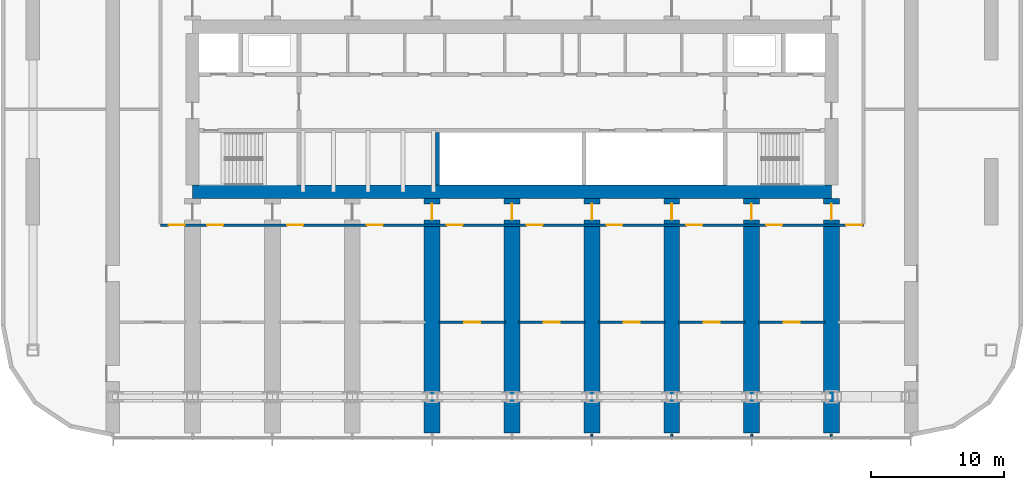
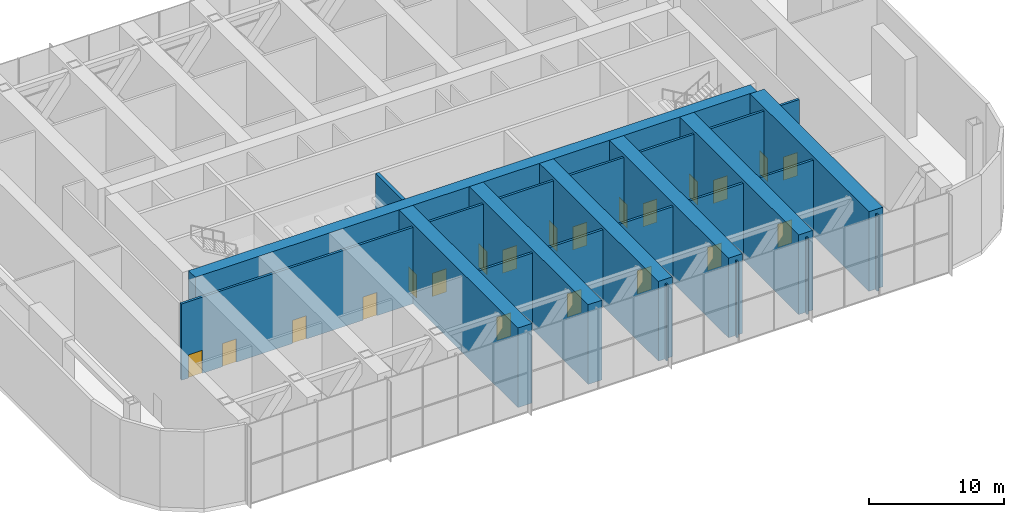
# One storey, part 11 of 24: 21 doors, 18 walls, 21 openings.
"""IFC4 building model written with IfcOpenShell, lengths in metres."""

from ifc_helpers import new_model, si_unit, direction, frame, frame_2d, origin, place, context, subcontext, project, spatial, rectangle, extrude, material, layer, layer_set, type_object, element, fill, save


model = new_model("IFC4")

# Units and contexts
model_context = context("Model", 3, precision=1e-05, world=origin(), true_north=direction((0.0, 1.0)))
body_context = subcontext(model_context, "Body", "Model", "MODEL_VIEW")
ifc_project = project(units=[si_unit("LENGTHUNIT", "METRE"), si_unit("AREAUNIT", "SQUARE_METRE"), si_unit("VOLUMEUNIT", "CUBIC_METRE"), si_unit("PLANEANGLEUNIT", "RADIAN"), si_unit("MASSUNIT", "GRAM", prefix="KILO")], contexts=[model_context])

# Site, building, storey
site_placement = place(None, origin())
site = spatial("IfcSite", under=ifc_project, at=site_placement, CompositionType="ELEMENT")
building_placement = place(site_placement, origin())
building = spatial("IfcBuilding", under=site, at=building_placement, Name="Orbita Commons", CompositionType="ELEMENT")
storey_placement = place(building_placement, frame((0.0, 0.0, 68.949951171875)))
storey = spatial("IfcBuildingStorey", under=building, at=storey_placement, Name="L17", CompositionType="ELEMENT", Elevation=68.949951171875)

# Walls
ifc_material_1 = material(Name="Concrete C50/60", Category="concrete")
ifc_layer_1 = layer(ifc_material_1, 0.300048828125)
ifc_layer_set_1 = layer_set([ifc_layer_1], Name="Concrete C50/60")
wall_type_1 = type_object("IfcWallType", Name="Core inner wall 300 C50/60", PredefinedType="SHEAR", material=ifc_layer_set_1)
wall_1_placement = place(storey_placement, frame((36.39990234375, 26.300048828125, 0.0), z_axis=(0.0, 0.0, 1.0), x_axis=(0.0, 1.0, 0.0)))
element("IfcWall", 1, at=wall_1_placement, inside=storey, type_object=wall_type_1, Name="Hoistway division wall L17", PredefinedType="SHEAR", context=body_context, shape_type="SweptSolid", body=[
    extrude(rectangle(XDim=3.949951171875, YDim=0.300048828125, at=frame_2d((1.97509765625, 0.0))), origin(), (0.0, 0.0, 1.0), 7.199951171875),
])
ifc_material_2 = material(Name="Concrete C50/60", Category="concrete")
ifc_layer_2 = layer(ifc_material_2, 1.0)
ifc_layer_set_2 = layer_set([ifc_layer_2], Name="Concrete C50/60")
wall_type_2 = type_object("IfcWallType", Name="Core wall 1000 C50/60", PredefinedType="SHEAR", material=ifc_layer_set_2)
wall_2_placement = place(storey_placement, frame((18.0, 25.800048828125, 0.0), z_axis=(0.0, 0.0, 1.0), x_axis=(1.0, 0.0, 0.0)))
element("IfcWall", 2, at=wall_2_placement, inside=storey, type_object=wall_type_2, Name="Core spine wall south L17", PredefinedType="SHEAR", context=body_context, shape_type="SweptSolid", body=[
    extrude(rectangle(XDim=48.0, YDim=1.0, at=frame_2d((24.0, 0.0))), origin(), (0.0, 0.0, 1.0), 7.199951171875),
])

# Wall, openings, doors
ifc_material_3 = material(Name="Concrete blockwork", Category="masonry")
ifc_layer_3 = layer(ifc_material_3, 0.199951171875)
ifc_layer_set_3 = layer_set([ifc_layer_3], Name="Concrete blockwork")
wall_type_3 = type_object("IfcWallType", Name="Corridor wall 200 blockwork", PredefinedType="SOLIDWALL", material=ifc_layer_set_3)
wall_3_placement = place(storey_placement, frame((68.39990234375, 23.300048828125, 0.0), z_axis=(0.0, 0.0, 1.0), x_axis=(-1.0, 0.0, 0.0)))
wall_3 = element("IfcWall", 3, at=wall_3_placement, inside=storey, type_object=wall_type_3, Name="Corridor wall 200 blockwork L17", PredefinedType="SOLIDWALL", context=body_context, shape_type="SweptSolid", body=[
    extrude(rectangle(XDim=52.7998046875, YDim=0.199951171875, at=frame_2d((26.39990234375, 0.0))), origin(), (0.0, 0.0, 1.0), 6.900146484375),
])
opening_1_placement = place(wall_3_placement, frame((51.0, 0.0, 0.0)))
opening_1 = element("IfcOpeningElement", 4, at=opening_1_placement, cuts=wall_3, Name="Opening D01", PredefinedType="OPENING", context=body_context, shape_type="SweptSolid", body=[
    extrude(rectangle(XDim=1.199951171875, YDim=2.10009765625, at=frame_2d((0.60009765625, 1.050048828125))), frame((0.0, 0.10986328125, 0.0), z_axis=(0.0, -1.0, 0.0), x_axis=(1.0, 0.0, 0.0)), (0.0, 0.0, 1.0), 0.219970703125),
])
opening_2_placement = place(wall_3_placement, frame((48.10009765625, 0.0, 0.0)))
opening_2 = element("IfcOpeningElement", 5, at=opening_2_placement, cuts=wall_3, Name="Opening D01", PredefinedType="OPENING", context=body_context, shape_type="SweptSolid", body=[
    extrude(rectangle(XDim=1.199951171875, YDim=2.10009765625, at=frame_2d((0.60009765625, 1.050048828125))), frame((0.0, 0.10986328125, 0.0), z_axis=(0.0, -1.0, 0.0), x_axis=(1.0, 0.0, 0.0)), (0.0, 0.0, 1.0), 0.219970703125),
])
opening_3_placement = place(wall_3_placement, frame((42.10009765625, 0.0, 0.0)))
opening_3 = element("IfcOpeningElement", 6, at=opening_3_placement, cuts=wall_3, Name="Opening D01", PredefinedType="OPENING", context=body_context, shape_type="SweptSolid", body=[
    extrude(rectangle(XDim=1.199951171875, YDim=2.10009765625, at=frame_2d((0.60009765625, 1.050048828125))), frame((0.0, 0.10986328125, 0.0), z_axis=(0.0, -1.0, 0.0), x_axis=(1.0, 0.0, 0.0)), (0.0, 0.0, 1.0), 0.219970703125),
])
opening_4_placement = place(wall_3_placement, frame((36.10009765625, 0.0, 0.0)))
opening_4 = element("IfcOpeningElement", 7, at=opening_4_placement, cuts=wall_3, Name="Opening D01", PredefinedType="OPENING", context=body_context, shape_type="SweptSolid", body=[
    extrude(rectangle(XDim=1.199951171875, YDim=2.10009765625, at=frame_2d((0.60009765625, 1.050048828125))), frame((0.0, 0.10986328125, 0.0), z_axis=(0.0, -1.0, 0.0), x_axis=(1.0, 0.0, 0.0)), (0.0, 0.0, 1.0), 0.219970703125),
])
opening_5_placement = place(wall_3_placement, frame((30.10009765625, 0.0, 0.0)))
opening_5 = element("IfcOpeningElement", 8, at=opening_5_placement, cuts=wall_3, Name="Opening D01", PredefinedType="OPENING", context=body_context, shape_type="SweptSolid", body=[
    extrude(rectangle(XDim=1.199951171875, YDim=2.10009765625, at=frame_2d((0.60009765625, 1.050048828125))), frame((0.0, 0.10986328125, 0.0), z_axis=(0.0, -1.0, 0.0), x_axis=(1.0, 0.0, 0.0)), (0.0, 0.0, 1.0), 0.219970703125),
])
opening_6_placement = place(wall_3_placement, frame((24.10009765625, 0.0, 0.0)))
opening_6 = element("IfcOpeningElement", 9, at=opening_6_placement, cuts=wall_3, Name="Opening D01", PredefinedType="OPENING", context=body_context, shape_type="SweptSolid", body=[
    extrude(rectangle(XDim=1.199951171875, YDim=2.10009765625, at=frame_2d((0.60009765625, 1.050048828125))), frame((0.0, 0.10986328125, 0.0), z_axis=(0.0, -1.0, 0.0), x_axis=(1.0, 0.0, 0.0)), (0.0, 0.0, 1.0), 0.219970703125),
])
opening_7_placement = place(wall_3_placement, frame((18.10009765625, 0.0, 0.0)))
opening_7 = element("IfcOpeningElement", 10, at=opening_7_placement, cuts=wall_3, Name="Opening D01", PredefinedType="OPENING", context=body_context, shape_type="SweptSolid", body=[
    extrude(rectangle(XDim=1.199951171875, YDim=2.10009765625, at=frame_2d((0.60009765625, 1.050048828125))), frame((0.0, 0.10986328125, 0.0), z_axis=(0.0, -1.0, 0.0), x_axis=(1.0, 0.0, 0.0)), (0.0, 0.0, 1.0), 0.219970703125),
])
opening_8_placement = place(wall_3_placement, frame((12.10009765625, 0.0, 0.0)))
opening_8 = element("IfcOpeningElement", 11, at=opening_8_placement, cuts=wall_3, Name="Opening D01", PredefinedType="OPENING", context=body_context, shape_type="SweptSolid", body=[
    extrude(rectangle(XDim=1.199951171875, YDim=2.10009765625, at=frame_2d((0.60009765625, 1.050048828125))), frame((0.0, 0.10986328125, 0.0), z_axis=(0.0, -1.0, 0.0), x_axis=(1.0, 0.0, 0.0)), (0.0, 0.0, 1.0), 0.219970703125),
])
opening_9_placement = place(wall_3_placement, frame((6.10009765625, 0.0, 0.0)))
opening_9 = element("IfcOpeningElement", 12, at=opening_9_placement, cuts=wall_3, Name="Opening D01", PredefinedType="OPENING", context=body_context, shape_type="SweptSolid", body=[
    extrude(rectangle(XDim=1.199951171875, YDim=2.10009765625, at=frame_2d((0.60009765625, 1.050048828125))), frame((0.0, 0.10986328125, 0.0), z_axis=(0.0, -1.0, 0.0), x_axis=(1.0, 0.0, 0.0)), (0.0, 0.0, 1.0), 0.219970703125),
])
opening_10_placement = place(wall_3_placement, frame((0.10009765625, 0.0, 0.0)))
opening_10 = element("IfcOpeningElement", 13, at=opening_10_placement, cuts=wall_3, Name="Opening D01", PredefinedType="OPENING", context=body_context, shape_type="SweptSolid", body=[
    extrude(rectangle(XDim=1.199951171875, YDim=2.10009765625, at=frame_2d((0.60009765625, 1.050048828125))), frame((0.0, 0.10986328125, 0.0), z_axis=(0.0, -1.0, 0.0), x_axis=(1.0, 0.0, 0.0)), (0.0, 0.0, 1.0), 0.219970703125),
])
ifc_material_4 = material(Name="Steel-faced fire door leaf", Category="steel")
door_type = type_object("IfcDoorType", Name="Fire door 90 min 1200x2100", OperationType="SINGLE_SWING_LEFT", PredefinedType="DOOR", material=ifc_material_4)
door_1_placement = place(opening_1_placement, origin())
door_1 = element("IfcDoor", 14, at=door_1_placement, inside=storey, type_object=door_type, Name="Refuge lobby L17-PS1 door", OperationType="SINGLE_SWING_LEFT", OverallHeight=2.10009765625, OverallWidth=1.199951171875, PredefinedType="DOOR", context=body_context, shape_type="SweptSolid", body=[
    extrude(rectangle(XDim=1.199951171875, YDim=2.10009765625, at=frame_2d((0.60009765625, 1.050048828125))), frame((0.0, 0.02490234375, 0.0), z_axis=(0.0, -1.0, 0.0), x_axis=(1.0, 0.0, 0.0)), (0.0, 0.0, 1.0), 0.050048828125),
])
fill(opening_1, door_1)
door_2_placement = place(opening_2_placement, origin())
door_2 = element("IfcDoor", 15, at=door_2_placement, inside=storey, type_object=door_type, Name="Refuge lobby L17-PS2 door", OperationType="SINGLE_SWING_LEFT", OverallHeight=2.10009765625, OverallWidth=1.199951171875, PredefinedType="DOOR", context=body_context, shape_type="SweptSolid", body=[
    extrude(rectangle(XDim=1.199951171875, YDim=2.10009765625, at=frame_2d((0.60009765625, 1.050048828125))), frame((0.0, 0.02490234375, 0.0), z_axis=(0.0, -1.0, 0.0), x_axis=(1.0, 0.0, 0.0)), (0.0, 0.0, 1.0), 0.050048828125),
])
fill(opening_2, door_2)
door_3_placement = place(opening_3_placement, origin())
door_3 = element("IfcDoor", 16, at=door_3_placement, inside=storey, type_object=door_type, Name="Refuge lobby L17-PS3 door", OperationType="SINGLE_SWING_LEFT", OverallHeight=2.10009765625, OverallWidth=1.199951171875, PredefinedType="DOOR", context=body_context, shape_type="SweptSolid", body=[
    extrude(rectangle(XDim=1.199951171875, YDim=2.10009765625, at=frame_2d((0.60009765625, 1.050048828125))), frame((0.0, 0.02490234375, 0.0), z_axis=(0.0, -1.0, 0.0), x_axis=(1.0, 0.0, 0.0)), (0.0, 0.0, 1.0), 0.050048828125),
])
fill(opening_3, door_3)
door_4_placement = place(opening_4_placement, origin())
door_4 = element("IfcDoor", 17, at=door_4_placement, inside=storey, type_object=door_type, Name="Refuge lobby L17-PS4 door", OperationType="SINGLE_SWING_LEFT", OverallHeight=2.10009765625, OverallWidth=1.199951171875, PredefinedType="DOOR", context=body_context, shape_type="SweptSolid", body=[
    extrude(rectangle(XDim=1.199951171875, YDim=2.10009765625, at=frame_2d((0.60009765625, 1.050048828125))), frame((0.0, 0.02490234375, 0.0), z_axis=(0.0, -1.0, 0.0), x_axis=(1.0, 0.0, 0.0)), (0.0, 0.0, 1.0), 0.050048828125),
])
fill(opening_4, door_4)
door_5_placement = place(opening_5_placement, origin())
door_5 = element("IfcDoor", 18, at=door_5_placement, inside=storey, type_object=door_type, Name="Refuge lobby L17-PS5 door", OperationType="SINGLE_SWING_LEFT", OverallHeight=2.10009765625, OverallWidth=1.199951171875, PredefinedType="DOOR", context=body_context, shape_type="SweptSolid", body=[
    extrude(rectangle(XDim=1.199951171875, YDim=2.10009765625, at=frame_2d((0.60009765625, 1.050048828125))), frame((0.0, 0.02490234375, 0.0), z_axis=(0.0, -1.0, 0.0), x_axis=(1.0, 0.0, 0.0)), (0.0, 0.0, 1.0), 0.050048828125),
])
fill(opening_5, door_5)
door_6_placement = place(opening_6_placement, origin())
door_6 = element("IfcDoor", 19, at=door_6_placement, inside=storey, type_object=door_type, Name="Refuge lobby L17-PS6 door", OperationType="SINGLE_SWING_LEFT", OverallHeight=2.10009765625, OverallWidth=1.199951171875, PredefinedType="DOOR", context=body_context, shape_type="SweptSolid", body=[
    extrude(rectangle(XDim=1.199951171875, YDim=2.10009765625, at=frame_2d((0.60009765625, 1.050048828125))), frame((0.0, 0.02490234375, 0.0), z_axis=(0.0, -1.0, 0.0), x_axis=(1.0, 0.0, 0.0)), (0.0, 0.0, 1.0), 0.050048828125),
])
fill(opening_6, door_6)
door_7_placement = place(opening_7_placement, origin())
door_7 = element("IfcDoor", 20, at=door_7_placement, inside=storey, type_object=door_type, Name="Refuge lobby L17-PS7 door", OperationType="SINGLE_SWING_LEFT", OverallHeight=2.10009765625, OverallWidth=1.199951171875, PredefinedType="DOOR", context=body_context, shape_type="SweptSolid", body=[
    extrude(rectangle(XDim=1.199951171875, YDim=2.10009765625, at=frame_2d((0.60009765625, 1.050048828125))), frame((0.0, 0.02490234375, 0.0), z_axis=(0.0, -1.0, 0.0), x_axis=(1.0, 0.0, 0.0)), (0.0, 0.0, 1.0), 0.050048828125),
])
fill(opening_7, door_7)
door_8_placement = place(opening_8_placement, origin())
door_8 = element("IfcDoor", 21, at=door_8_placement, inside=storey, type_object=door_type, Name="Refuge lobby L17-PS8 door", OperationType="SINGLE_SWING_LEFT", OverallHeight=2.10009765625, OverallWidth=1.199951171875, PredefinedType="DOOR", context=body_context, shape_type="SweptSolid", body=[
    extrude(rectangle(XDim=1.199951171875, YDim=2.10009765625, at=frame_2d((0.60009765625, 1.050048828125))), frame((0.0, 0.02490234375, 0.0), z_axis=(0.0, -1.0, 0.0), x_axis=(1.0, 0.0, 0.0)), (0.0, 0.0, 1.0), 0.050048828125),
])
fill(opening_8, door_8)
door_9_placement = place(opening_9_placement, origin())
door_9 = element("IfcDoor", 22, at=door_9_placement, inside=storey, type_object=door_type, Name="Refuge lobby L17-PS9 door", OperationType="SINGLE_SWING_LEFT", OverallHeight=2.10009765625, OverallWidth=1.199951171875, PredefinedType="DOOR", context=body_context, shape_type="SweptSolid", body=[
    extrude(rectangle(XDim=1.199951171875, YDim=2.10009765625, at=frame_2d((0.60009765625, 1.050048828125))), frame((0.0, 0.02490234375, 0.0), z_axis=(0.0, -1.0, 0.0), x_axis=(1.0, 0.0, 0.0)), (0.0, 0.0, 1.0), 0.050048828125),
])
fill(opening_9, door_9)
door_10_placement = place(opening_10_placement, origin())
door_10 = element("IfcDoor", 23, at=door_10_placement, inside=storey, type_object=door_type, Name="Refuge lobby L17-PS10 door", OperationType="SINGLE_SWING_LEFT", OverallHeight=2.10009765625, OverallWidth=1.199951171875, PredefinedType="DOOR", context=body_context, shape_type="SweptSolid", body=[
    extrude(rectangle(XDim=1.199951171875, YDim=2.10009765625, at=frame_2d((0.60009765625, 1.050048828125))), frame((0.0, 0.02490234375, 0.0), z_axis=(0.0, -1.0, 0.0), x_axis=(1.0, 0.0, 0.0)), (0.0, 0.0, 1.0), 0.050048828125),
])
fill(opening_10, door_10)

# Wall, opening, door
ifc_material_5 = material(Name="Hollow concrete block 200", Category="concrete")
ifc_layer_4 = layer(ifc_material_5, 0.199951171875)
ifc_layer_set_4 = layer_set([ifc_layer_4], Name="Hollow concrete block 200")
wall_type_4 = type_object("IfcWallType", Name="Corridor wall 200 hollow concrete block", PredefinedType="SOLIDWALL", material=ifc_layer_set_4)
wall_4_placement = place(storey_placement, frame((36.5, 16.0, 0.0), z_axis=(0.0, 0.0, 1.0), x_axis=(1.0, 0.0, 0.0)))
wall_4 = element("IfcWall", 24, at=wall_4_placement, inside=storey, type_object=wall_type_4, Name="Corridor wall 200 hollow concrete block L17", PredefinedType="SOLIDWALL", context=body_context, shape_type="SweptSolid", body=[
    extrude(rectangle(XDim=5.0, YDim=0.199951171875, at=frame_2d((2.5, 0.0))), origin(), (0.0, 0.0, 1.0), 6.900146484375),
])
opening_11_placement = place(wall_4_placement, frame((1.89990234375, 0.0, 0.0)))
opening_11 = element("IfcOpeningElement", 25, at=opening_11_placement, cuts=wall_4, Name="Opening D01", PredefinedType="OPENING", context=body_context, shape_type="SweptSolid", body=[
    extrude(rectangle(XDim=1.199951171875, YDim=2.10009765625, at=frame_2d((0.60009765625, 1.050048828125))), frame((0.0, 0.10986328125, 0.0), z_axis=(0.0, -1.0, 0.0), x_axis=(1.0, 0.0, 0.0)), (0.0, 0.0, 1.0), 0.219970703125),
])
door_11_placement = place(opening_11_placement, origin())
door_11 = element("IfcDoor", 26, at=door_11_placement, inside=storey, type_object=door_type, Name="Refuge area door L17", OperationType="SINGLE_SWING_LEFT", OverallHeight=2.10009765625, OverallWidth=1.199951171875, PredefinedType="DOOR", context=body_context, shape_type="SweptSolid", body=[
    extrude(rectangle(XDim=1.199951171875, YDim=2.10009765625, at=frame_2d((0.60009765625, 1.050048828125))), frame((0.0, 0.02490234375, 0.0), z_axis=(0.0, -1.0, 0.0), x_axis=(1.0, 0.0, 0.0)), (0.0, 0.0, 1.0), 0.050048828125),
])
fill(opening_11, door_11)

wall_5_placement = place(storey_placement, frame((42.5, 16.0, 0.0), z_axis=(0.0, 0.0, 1.0), x_axis=(1.0, 0.0, 0.0)))
wall_5 = element("IfcWall", 27, at=wall_5_placement, inside=storey, type_object=wall_type_4, Name="Corridor wall 200 hollow concrete block L17", PredefinedType="SOLIDWALL", context=body_context, shape_type="SweptSolid", body=[
    extrude(rectangle(XDim=5.0, YDim=0.199951171875, at=frame_2d((2.5, 0.0))), origin(), (0.0, 0.0, 1.0), 6.900146484375),
])
opening_12_placement = place(wall_5_placement, frame((1.89990234375, 0.0, 0.0)))
opening_12 = element("IfcOpeningElement", 28, at=opening_12_placement, cuts=wall_5, Name="Opening D01", PredefinedType="OPENING", context=body_context, shape_type="SweptSolid", body=[
    extrude(rectangle(XDim=1.199951171875, YDim=2.10009765625, at=frame_2d((0.60009765625, 1.050048828125))), frame((0.0, 0.10986328125, 0.0), z_axis=(0.0, -1.0, 0.0), x_axis=(1.0, 0.0, 0.0)), (0.0, 0.0, 1.0), 0.219970703125),
])
door_12_placement = place(opening_12_placement, origin())
door_12 = element("IfcDoor", 29, at=door_12_placement, inside=storey, type_object=door_type, Name="Refuge area door L17", OperationType="SINGLE_SWING_LEFT", OverallHeight=2.10009765625, OverallWidth=1.199951171875, PredefinedType="DOOR", context=body_context, shape_type="SweptSolid", body=[
    extrude(rectangle(XDim=1.199951171875, YDim=2.10009765625, at=frame_2d((0.60009765625, 1.050048828125))), frame((0.0, 0.02490234375, 0.0), z_axis=(0.0, -1.0, 0.0), x_axis=(1.0, 0.0, 0.0)), (0.0, 0.0, 1.0), 0.050048828125),
])
fill(opening_12, door_12)

wall_6_placement = place(storey_placement, frame((48.5, 16.0, 0.0), z_axis=(0.0, 0.0, 1.0), x_axis=(1.0, 0.0, 0.0)))
wall_6 = element("IfcWall", 30, at=wall_6_placement, inside=storey, type_object=wall_type_4, Name="Corridor wall 200 hollow concrete block L17", PredefinedType="SOLIDWALL", context=body_context, shape_type="SweptSolid", body=[
    extrude(rectangle(XDim=5.0, YDim=0.199951171875, at=frame_2d((2.5, 0.0))), origin(), (0.0, 0.0, 1.0), 6.900146484375),
])
opening_13_placement = place(wall_6_placement, frame((1.89990234375, 0.0, 0.0)))
opening_13 = element("IfcOpeningElement", 31, at=opening_13_placement, cuts=wall_6, Name="Opening D01", PredefinedType="OPENING", context=body_context, shape_type="SweptSolid", body=[
    extrude(rectangle(XDim=1.199951171875, YDim=2.10009765625, at=frame_2d((0.60009765625, 1.050048828125))), frame((0.0, 0.10986328125, 0.0), z_axis=(0.0, -1.0, 0.0), x_axis=(1.0, 0.0, 0.0)), (0.0, 0.0, 1.0), 0.219970703125),
])
door_13_placement = place(opening_13_placement, origin())
door_13 = element("IfcDoor", 32, at=door_13_placement, inside=storey, type_object=door_type, Name="Refuge area door L17", OperationType="SINGLE_SWING_LEFT", OverallHeight=2.10009765625, OverallWidth=1.199951171875, PredefinedType="DOOR", context=body_context, shape_type="SweptSolid", body=[
    extrude(rectangle(XDim=1.199951171875, YDim=2.10009765625, at=frame_2d((0.60009765625, 1.050048828125))), frame((0.0, 0.02490234375, 0.0), z_axis=(0.0, -1.0, 0.0), x_axis=(1.0, 0.0, 0.0)), (0.0, 0.0, 1.0), 0.050048828125),
])
fill(opening_13, door_13)

wall_7_placement = place(storey_placement, frame((54.5, 16.0, 0.0), z_axis=(0.0, 0.0, 1.0), x_axis=(1.0, 0.0, 0.0)))
wall_7 = element("IfcWall", 33, at=wall_7_placement, inside=storey, type_object=wall_type_4, Name="Corridor wall 200 hollow concrete block L17", PredefinedType="SOLIDWALL", context=body_context, shape_type="SweptSolid", body=[
    extrude(rectangle(XDim=5.0, YDim=0.199951171875, at=frame_2d((2.5, 0.0))), origin(), (0.0, 0.0, 1.0), 6.900146484375),
])
opening_14_placement = place(wall_7_placement, frame((1.89990234375, 0.0, 0.0)))
opening_14 = element("IfcOpeningElement", 34, at=opening_14_placement, cuts=wall_7, Name="Opening D01", PredefinedType="OPENING", context=body_context, shape_type="SweptSolid", body=[
    extrude(rectangle(XDim=1.199951171875, YDim=2.10009765625, at=frame_2d((0.60009765625, 1.050048828125))), frame((0.0, 0.10986328125, 0.0), z_axis=(0.0, -1.0, 0.0), x_axis=(1.0, 0.0, 0.0)), (0.0, 0.0, 1.0), 0.219970703125),
])
door_14_placement = place(opening_14_placement, origin())
door_14 = element("IfcDoor", 35, at=door_14_placement, inside=storey, type_object=door_type, Name="Refuge area door L17", OperationType="SINGLE_SWING_LEFT", OverallHeight=2.10009765625, OverallWidth=1.199951171875, PredefinedType="DOOR", context=body_context, shape_type="SweptSolid", body=[
    extrude(rectangle(XDim=1.199951171875, YDim=2.10009765625, at=frame_2d((0.60009765625, 1.050048828125))), frame((0.0, 0.02490234375, 0.0), z_axis=(0.0, -1.0, 0.0), x_axis=(1.0, 0.0, 0.0)), (0.0, 0.0, 1.0), 0.050048828125),
])
fill(opening_14, door_14)

wall_8_placement = place(storey_placement, frame((60.5, 16.0, 0.0), z_axis=(0.0, 0.0, 1.0), x_axis=(1.0, 0.0, 0.0)))
wall_8 = element("IfcWall", 36, at=wall_8_placement, inside=storey, type_object=wall_type_4, Name="Corridor wall 200 hollow concrete block L17", PredefinedType="SOLIDWALL", context=body_context, shape_type="SweptSolid", body=[
    extrude(rectangle(XDim=5.0, YDim=0.199951171875, at=frame_2d((2.5, 0.0))), origin(), (0.0, 0.0, 1.0), 6.900146484375),
])
opening_15_placement = place(wall_8_placement, frame((1.89990234375, 0.0, 0.0)))
opening_15 = element("IfcOpeningElement", 37, at=opening_15_placement, cuts=wall_8, Name="Opening D01", PredefinedType="OPENING", context=body_context, shape_type="SweptSolid", body=[
    extrude(rectangle(XDim=1.199951171875, YDim=2.10009765625, at=frame_2d((0.60009765625, 1.050048828125))), frame((0.0, 0.10986328125, 0.0), z_axis=(0.0, -1.0, 0.0), x_axis=(1.0, 0.0, 0.0)), (0.0, 0.0, 1.0), 0.219970703125),
])
door_15_placement = place(opening_15_placement, origin())
door_15 = element("IfcDoor", 38, at=door_15_placement, inside=storey, type_object=door_type, Name="Refuge area door L17", OperationType="SINGLE_SWING_LEFT", OverallHeight=2.10009765625, OverallWidth=1.199951171875, PredefinedType="DOOR", context=body_context, shape_type="SweptSolid", body=[
    extrude(rectangle(XDim=1.199951171875, YDim=2.10009765625, at=frame_2d((0.60009765625, 1.050048828125))), frame((0.0, 0.02490234375, 0.0), z_axis=(0.0, -1.0, 0.0), x_axis=(1.0, 0.0, 0.0)), (0.0, 0.0, 1.0), 0.050048828125),
])
fill(opening_15, door_15)

ifc_material_6 = material(Name="Concrete C50/60", Category="concrete")
ifc_layer_5 = layer(ifc_material_6, 1.199951171875)
ifc_layer_set_5 = layer_set([ifc_layer_5], Name="Concrete C50/60")
wall_type_5 = type_object("IfcWallType", Name="Outrigger wall 1200 C50/60", PredefinedType="SHEAR", material=ifc_layer_set_5)
wall_9_placement = place(storey_placement, frame((36.0, 7.699951171875, 0.0), z_axis=(0.0, 0.0, 1.0), x_axis=(0.0, 1.0, 0.0)))
wall_9 = element("IfcWall", 39, at=wall_9_placement, inside=storey, type_object=wall_type_5, Name="Outrigger wall 7 south L17", PredefinedType="SHEAR", context=body_context, shape_type="SweptSolid", body=[
    extrude(rectangle(XDim=17.60009765625, YDim=1.199951171875, at=frame_2d((8.800048828125, 0.0))), origin(), (0.0, 0.0, 1.0), 7.199951171875),
])
opening_16_placement = place(wall_9_placement, frame((16.0, 0.0, 0.0)))
opening_16 = element("IfcOpeningElement", 40, at=opening_16_placement, cuts=wall_9, Name="Opening D01", PredefinedType="OPENING", context=body_context, shape_type="SweptSolid", body=[
    extrude(rectangle(XDim=1.199951171875, YDim=2.10009765625, at=frame_2d((0.60009765625, 1.050048828125))), frame((0.0, 0.60986328125, 0.0), z_axis=(0.0, -1.0, 0.0), x_axis=(1.0, 0.0, 0.0)), (0.0, 0.0, 1.0), 1.219970703125),
])
door_16_placement = place(opening_16_placement, origin())
door_16 = element("IfcDoor", 41, at=door_16_placement, inside=storey, type_object=door_type, Name="Corridor door through cross wall S L17", OperationType="SINGLE_SWING_LEFT", OverallHeight=2.10009765625, OverallWidth=1.199951171875, PredefinedType="DOOR", context=body_context, shape_type="SweptSolid", body=[
    extrude(rectangle(XDim=1.199951171875, YDim=2.10009765625, at=frame_2d((0.60009765625, 1.050048828125))), frame((0.0, 0.02490234375, 0.0), z_axis=(0.0, -1.0, 0.0), x_axis=(1.0, 0.0, 0.0)), (0.0, 0.0, 1.0), 0.050048828125),
])
fill(opening_16, door_16)

wall_10_placement = place(storey_placement, frame((42.0, 7.699951171875, 0.0), z_axis=(0.0, 0.0, 1.0), x_axis=(0.0, 1.0, 0.0)))
wall_10 = element("IfcWall", 42, at=wall_10_placement, inside=storey, type_object=wall_type_5, Name="Outrigger wall 8 south L17", PredefinedType="SHEAR", context=body_context, shape_type="SweptSolid", body=[
    extrude(rectangle(XDim=17.60009765625, YDim=1.199951171875, at=frame_2d((8.800048828125, 0.0))), origin(), (0.0, 0.0, 1.0), 7.199951171875),
])
opening_17_placement = place(wall_10_placement, frame((16.0, 0.0, 0.0)))
opening_17 = element("IfcOpeningElement", 43, at=opening_17_placement, cuts=wall_10, Name="Opening D01", PredefinedType="OPENING", context=body_context, shape_type="SweptSolid", body=[
    extrude(rectangle(XDim=1.199951171875, YDim=2.10009765625, at=frame_2d((0.60009765625, 1.050048828125))), frame((0.0, 0.60986328125, 0.0), z_axis=(0.0, -1.0, 0.0), x_axis=(1.0, 0.0, 0.0)), (0.0, 0.0, 1.0), 1.219970703125),
])
door_17_placement = place(opening_17_placement, origin())
door_17 = element("IfcDoor", 44, at=door_17_placement, inside=storey, type_object=door_type, Name="Corridor door through cross wall S L17", OperationType="SINGLE_SWING_LEFT", OverallHeight=2.10009765625, OverallWidth=1.199951171875, PredefinedType="DOOR", context=body_context, shape_type="SweptSolid", body=[
    extrude(rectangle(XDim=1.199951171875, YDim=2.10009765625, at=frame_2d((0.60009765625, 1.050048828125))), frame((0.0, 0.02490234375, 0.0), z_axis=(0.0, -1.0, 0.0), x_axis=(1.0, 0.0, 0.0)), (0.0, 0.0, 1.0), 0.050048828125),
])
fill(opening_17, door_17)

wall_11_placement = place(storey_placement, frame((48.0, 7.699951171875, 0.0), z_axis=(0.0, 0.0, 1.0), x_axis=(0.0, 1.0, 0.0)))
wall_11 = element("IfcWall", 45, at=wall_11_placement, inside=storey, type_object=wall_type_5, Name="Outrigger wall 9 south L17", PredefinedType="SHEAR", context=body_context, shape_type="SweptSolid", body=[
    extrude(rectangle(XDim=17.60009765625, YDim=1.199951171875, at=frame_2d((8.800048828125, 0.0))), origin(), (0.0, 0.0, 1.0), 7.199951171875),
])
opening_18_placement = place(wall_11_placement, frame((16.0, 0.0, 0.0)))
opening_18 = element("IfcOpeningElement", 46, at=opening_18_placement, cuts=wall_11, Name="Opening D01", PredefinedType="OPENING", context=body_context, shape_type="SweptSolid", body=[
    extrude(rectangle(XDim=1.199951171875, YDim=2.10009765625, at=frame_2d((0.60009765625, 1.050048828125))), frame((0.0, 0.60986328125, 0.0), z_axis=(0.0, -1.0, 0.0), x_axis=(1.0, 0.0, 0.0)), (0.0, 0.0, 1.0), 1.219970703125),
])
door_18_placement = place(opening_18_placement, origin())
door_18 = element("IfcDoor", 47, at=door_18_placement, inside=storey, type_object=door_type, Name="Corridor door through cross wall S L17", OperationType="SINGLE_SWING_LEFT", OverallHeight=2.10009765625, OverallWidth=1.199951171875, PredefinedType="DOOR", context=body_context, shape_type="SweptSolid", body=[
    extrude(rectangle(XDim=1.199951171875, YDim=2.10009765625, at=frame_2d((0.60009765625, 1.050048828125))), frame((0.0, 0.02490234375, 0.0), z_axis=(0.0, -1.0, 0.0), x_axis=(1.0, 0.0, 0.0)), (0.0, 0.0, 1.0), 0.050048828125),
])
fill(opening_18, door_18)

wall_12_placement = place(storey_placement, frame((54.0, 7.699951171875, 0.0), z_axis=(0.0, 0.0, 1.0), x_axis=(0.0, 1.0, 0.0)))
wall_12 = element("IfcWall", 48, at=wall_12_placement, inside=storey, type_object=wall_type_5, Name="Outrigger wall 10 south L17", PredefinedType="SHEAR", context=body_context, shape_type="SweptSolid", body=[
    extrude(rectangle(XDim=17.60009765625, YDim=1.199951171875, at=frame_2d((8.800048828125, 0.0))), origin(), (0.0, 0.0, 1.0), 7.199951171875),
])
opening_19_placement = place(wall_12_placement, frame((16.0, 0.0, 0.0)))
opening_19 = element("IfcOpeningElement", 49, at=opening_19_placement, cuts=wall_12, Name="Opening D01", PredefinedType="OPENING", context=body_context, shape_type="SweptSolid", body=[
    extrude(rectangle(XDim=1.199951171875, YDim=2.10009765625, at=frame_2d((0.60009765625, 1.050048828125))), frame((0.0, 0.60986328125, 0.0), z_axis=(0.0, -1.0, 0.0), x_axis=(1.0, 0.0, 0.0)), (0.0, 0.0, 1.0), 1.219970703125),
])
door_19_placement = place(opening_19_placement, origin())
door_19 = element("IfcDoor", 50, at=door_19_placement, inside=storey, type_object=door_type, Name="Corridor door through cross wall S L17", OperationType="SINGLE_SWING_LEFT", OverallHeight=2.10009765625, OverallWidth=1.199951171875, PredefinedType="DOOR", context=body_context, shape_type="SweptSolid", body=[
    extrude(rectangle(XDim=1.199951171875, YDim=2.10009765625, at=frame_2d((0.60009765625, 1.050048828125))), frame((0.0, 0.02490234375, 0.0), z_axis=(0.0, -1.0, 0.0), x_axis=(1.0, 0.0, 0.0)), (0.0, 0.0, 1.0), 0.050048828125),
])
fill(opening_19, door_19)

wall_13_placement = place(storey_placement, frame((60.0, 7.699951171875, 0.0), z_axis=(0.0, 0.0, 1.0), x_axis=(0.0, 1.0, 0.0)))
wall_13 = element("IfcWall", 51, at=wall_13_placement, inside=storey, type_object=wall_type_5, Name="Outrigger wall 11 south L17", PredefinedType="SHEAR", context=body_context, shape_type="SweptSolid", body=[
    extrude(rectangle(XDim=17.60009765625, YDim=1.199951171875, at=frame_2d((8.800048828125, 0.0))), origin(), (0.0, 0.0, 1.0), 7.199951171875),
])
opening_20_placement = place(wall_13_placement, frame((16.0, 0.0, 0.0)))
opening_20 = element("IfcOpeningElement", 52, at=opening_20_placement, cuts=wall_13, Name="Opening D01", PredefinedType="OPENING", context=body_context, shape_type="SweptSolid", body=[
    extrude(rectangle(XDim=1.199951171875, YDim=2.10009765625, at=frame_2d((0.60009765625, 1.050048828125))), frame((0.0, 0.60986328125, 0.0), z_axis=(0.0, -1.0, 0.0), x_axis=(1.0, 0.0, 0.0)), (0.0, 0.0, 1.0), 1.219970703125),
])
door_20_placement = place(opening_20_placement, origin())
door_20 = element("IfcDoor", 53, at=door_20_placement, inside=storey, type_object=door_type, Name="Corridor door through cross wall S L17", OperationType="SINGLE_SWING_LEFT", OverallHeight=2.10009765625, OverallWidth=1.199951171875, PredefinedType="DOOR", context=body_context, shape_type="SweptSolid", body=[
    extrude(rectangle(XDim=1.199951171875, YDim=2.10009765625, at=frame_2d((0.60009765625, 1.050048828125))), frame((0.0, 0.02490234375, 0.0), z_axis=(0.0, -1.0, 0.0), x_axis=(1.0, 0.0, 0.0)), (0.0, 0.0, 1.0), 0.050048828125),
])
fill(opening_20, door_20)

wall_14_placement = place(storey_placement, frame((66.0, 7.699951171875, 0.0), z_axis=(0.0, 0.0, 1.0), x_axis=(0.0, 1.0, 0.0)))
wall_14 = element("IfcWall", 54, at=wall_14_placement, inside=storey, type_object=wall_type_5, Name="Outrigger wall 12 south L17", PredefinedType="SHEAR", context=body_context, shape_type="SweptSolid", body=[
    extrude(rectangle(XDim=17.60009765625, YDim=1.199951171875, at=frame_2d((8.800048828125, 0.0))), origin(), (0.0, 0.0, 1.0), 7.199951171875),
])
opening_21_placement = place(wall_14_placement, frame((16.0, 0.0, 0.0)))
opening_21 = element("IfcOpeningElement", 55, at=opening_21_placement, cuts=wall_14, Name="Opening D01", PredefinedType="OPENING", context=body_context, shape_type="SweptSolid", body=[
    extrude(rectangle(XDim=1.199951171875, YDim=2.10009765625, at=frame_2d((0.60009765625, 1.050048828125))), frame((0.0, 0.60986328125, 0.0), z_axis=(0.0, -1.0, 0.0), x_axis=(1.0, 0.0, 0.0)), (0.0, 0.0, 1.0), 1.219970703125),
])
door_21_placement = place(opening_21_placement, origin())
door_21 = element("IfcDoor", 56, at=door_21_placement, inside=storey, type_object=door_type, Name="Corridor door through cross wall S L17", OperationType="SINGLE_SWING_LEFT", OverallHeight=2.10009765625, OverallWidth=1.199951171875, PredefinedType="DOOR", context=body_context, shape_type="SweptSolid", body=[
    extrude(rectangle(XDim=1.199951171875, YDim=2.10009765625, at=frame_2d((0.60009765625, 1.050048828125))), frame((0.0, 0.02490234375, 0.0), z_axis=(0.0, -1.0, 0.0), x_axis=(1.0, 0.0, 0.0)), (0.0, 0.0, 1.0), 0.050048828125),
])
fill(opening_21, door_21)

# Walls
ifc_material_7 = material(Name="Gypsum plasterboard on steel studs", Category="steel")
ifc_layer_6 = layer(ifc_material_7, 0.14990234375)
ifc_layer_set_6 = layer_set([ifc_layer_6], Name="Gypsum plasterboard on steel studs")
wall_type_6 = type_object("IfcWallType", Name="Partition 150 plasterboard", PredefinedType="PARTITIONING", material=ifc_layer_set_6)
for number, where, z_axis, x_axis, name in (
    (57, (48.0, 7.60009765625, 0.0), (0.0, 0.0, 1.0), (0.0, -1.0, 0.0), "Partition 150 plasterboard L17"),
    (58, (54.0, 7.60009765625, 0.0), (0.0, 0.0, 1.0), (0.0, -1.0, 0.0), "Partition 150 plasterboard L17"),
    (59, (60.0, 7.60009765625, 0.0), (0.0, 0.0, 1.0), (0.0, -1.0, 0.0), "Partition 150 plasterboard L17"),
    (60, (66.0, 7.60009765625, 0.0), (0.0, 0.0, 1.0), (0.0, -1.0, 0.0), "Partition 150 plasterboard L17"),
):
    element("IfcWall", number, at=place(storey_placement, frame(where, z_axis=z_axis, x_axis=x_axis)), inside=storey, type_object=wall_type_6, Name=name, PredefinedType="PARTITIONING", context=body_context, shape_type="SweptSolid", body=[
        extrude(rectangle(XDim=0.190185546875, YDim=0.14990234375, at=frame_2d((0.09521484375, 0.0))), origin(), (0.0, 0.0, 1.0), 6.900146484375),
    ])

save(model, "model.ifc")
